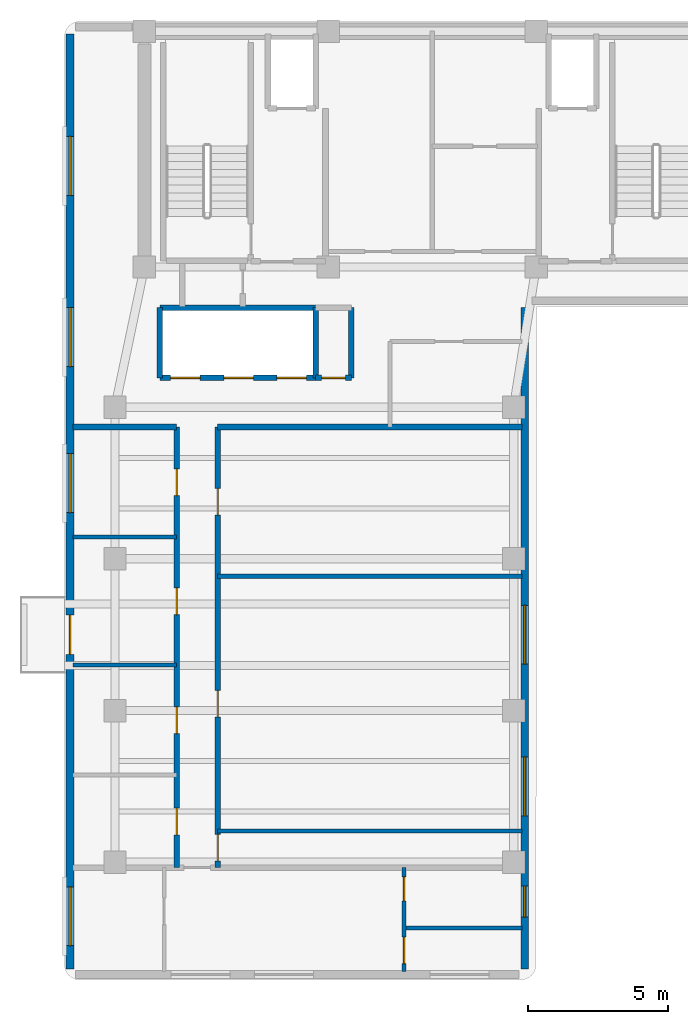
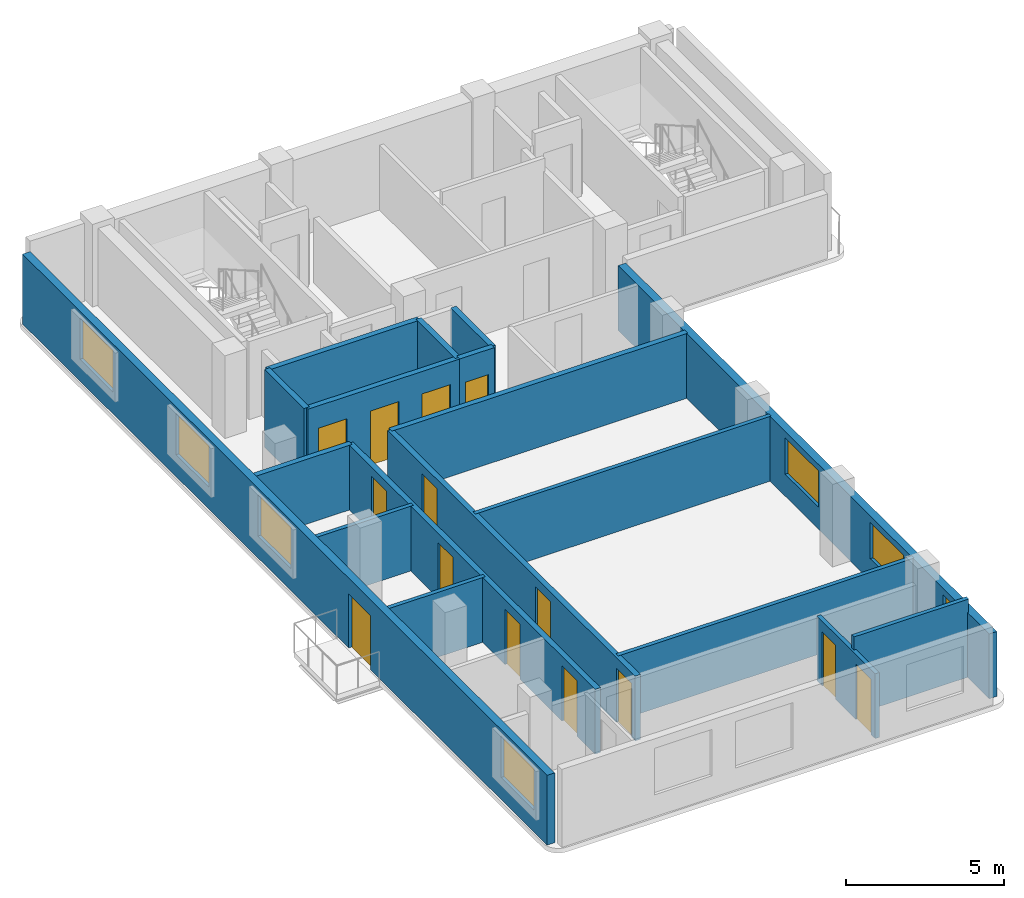
# One storey, part 2 of 6: 18 walls, 14 doors, 7 windows, 21 openings.
"""IFC4 building model written with IfcOpenShell, lengths in metres."""

from ifc_helpers import new_model, si_unit, direction, frame, frame_2d, origin, place, context, subcontext, project, spatial, rectangle, extrude, material, layer, layer_set, type_object, element, fill, save


model = new_model("IFC4")

# Units and contexts
model_context = context("Model", 3, precision=1e-05, world=origin(), true_north=direction((0.0, 1.0)))
body_context = subcontext(model_context, "Body", "Model", "MODEL_VIEW")
ifc_project = project(units=[si_unit("LENGTHUNIT", "METRE"), si_unit("AREAUNIT", "SQUARE_METRE"), si_unit("VOLUMEUNIT", "CUBIC_METRE"), si_unit("PLANEANGLEUNIT", "RADIAN"), si_unit("MASSUNIT", "GRAM", prefix="KILO")], contexts=[model_context])

# Site, building, storey
site_placement = place(None, origin())
site = spatial("IfcSite", under=ifc_project, at=site_placement, CompositionType="ELEMENT")
building_placement = place(site_placement, origin())
building = spatial("IfcBuilding", under=site, at=building_placement, Name="Kuzgunbayir Cultural Tower", CompositionType="ELEMENT")
storey_placement = place(building_placement, frame((0.0, 0.0, 218.39990234375)))
storey = spatial("IfcBuildingStorey", under=building, at=storey_placement, Name="L64", CompositionType="ELEMENT", Elevation=218.39990234375)

# Wall, openings, door, windows
ifc_material_1 = material(Name="Anatolian Cream Limestone", Category="masonry")
ifc_layer_1 = layer(ifc_material_1, 0.280029296875)
ifc_layer_set_1 = layer_set([ifc_layer_1], Name="Anatolian Cream Limestone")
wall_type_1 = type_object("IfcWallType", Name="WAL-EXT-STONE-280", PredefinedType="STANDARD", material=ifc_layer_set_1)
wall_1_placement = place(storey_placement, frame((3.800048828125, 42.10009765625, 0.0), z_axis=(0.0, 0.0, 1.0), x_axis=(0.0, -1.0, 0.0)))
wall_1 = element("IfcWall", 1, at=wall_1_placement, inside=storey, type_object=wall_type_1, Name="L64 Wing A West Limestone Wall", PredefinedType="STANDARD", context=body_context, shape_type="SweptSolid", body=[
    extrude(rectangle(XDim=33.300048828125, YDim=0.280029296875, at=frame_2d((16.64990234375, 0.0))), origin(), (0.0, 0.0, 1.0), 2.710205078125),
])
opening_1_placement = place(wall_1_placement, frame((20.699951171875, 0.0, 0.0)))
opening_1 = element("IfcOpeningElement", 2, at=opening_1_placement, cuts=wall_1, Name="Opening BD-15", PredefinedType="OPENING", context=body_context, shape_type="SweptSolid", body=[
    extrude(rectangle(XDim=1.39990234375, YDim=2.10009765625, at=frame_2d((0.699951171875, 1.050048828125))), frame((0.0, 0.14990234375, 0.0), z_axis=(0.0, -1.0, 0.0), x_axis=(1.0, 0.0, 0.0)), (0.0, 0.0, 1.0), 0.300048828125),
])
opening_2_placement = place(wall_1_placement, frame((30.3798828125, 0.0, 0.85009765625)))
opening_2 = element("IfcOpeningElement", 3, at=opening_2_placement, cuts=wall_1, Name="Opening WR-21", PredefinedType="OPENING", context=body_context, shape_type="SweptSolid", body=[
    extrude(rectangle(XDim=2.10009765625, YDim=1.610107421875, at=frame_2d((1.050048828125, 0.80517578125))), frame((0.0, 0.14990234375, 0.0), z_axis=(0.0, -1.0, 0.0), x_axis=(1.0, 0.0, 0.0)), (0.0, 0.0, 1.0), 0.300048828125),
])
opening_3_placement = place(wall_1_placement, frame((14.949951171875, 0.0, 0.85009765625)))
opening_3 = element("IfcOpeningElement", 4, at=opening_3_placement, cuts=wall_1, Name="Opening WR-21", PredefinedType="OPENING", context=body_context, shape_type="SweptSolid", body=[
    extrude(rectangle(XDim=2.10009765625, YDim=1.610107421875, at=frame_2d((1.050048828125, 0.80517578125))), frame((0.0, 0.14990234375, 0.0), z_axis=(0.0, -1.0, 0.0), x_axis=(1.0, 0.0, 0.0)), (0.0, 0.0, 1.0), 0.300048828125),
])
opening_4_placement = place(wall_1_placement, frame((9.75, 0.0, 0.85009765625)))
opening_4 = element("IfcOpeningElement", 5, at=opening_4_placement, cuts=wall_1, Name="Opening WR-21", PredefinedType="OPENING", context=body_context, shape_type="SweptSolid", body=[
    extrude(rectangle(XDim=2.10009765625, YDim=1.610107421875, at=frame_2d((1.050048828125, 0.80517578125))), frame((0.0, 0.14990234375, 0.0), z_axis=(0.0, -1.0, 0.0), x_axis=(1.0, 0.0, 0.0)), (0.0, 0.0, 1.0), 0.300048828125),
])
opening_5_placement = place(wall_1_placement, frame((3.64990234375, 0.0, 0.85009765625)))
opening_5 = element("IfcOpeningElement", 6, at=opening_5_placement, cuts=wall_1, Name="Opening WR-21", PredefinedType="OPENING", context=body_context, shape_type="SweptSolid", body=[
    extrude(rectangle(XDim=2.10009765625, YDim=1.610107421875, at=frame_2d((1.050048828125, 0.80517578125))), frame((0.0, 0.14990234375, 0.0), z_axis=(0.0, -1.0, 0.0), x_axis=(1.0, 0.0, 0.0)), (0.0, 0.0, 1.0), 0.300048828125),
])
ifc_material_2 = material(Name="Thermally Broken Glazed Aluminium", Category="aluminium")
door_type_1 = type_object("IfcDoorType", Name="DR-BALCONY-150", OperationType="SLIDING_TO_RIGHT", PredefinedType="DOOR", material=ifc_material_2)
door_1_placement = place(opening_1_placement, origin())
door_1 = element("IfcDoor", 7, at=door_1_placement, inside=storey, type_object=door_type_1, Name="L64 West Balcony Sliding Door BAL-L64-WA2", OperationType="SLIDING_TO_RIGHT", OverallHeight=2.10009765625, OverallWidth=1.39990234375, PredefinedType="DOOR", context=body_context, shape_type="SweptSolid", body=[
    extrude(rectangle(XDim=1.39990234375, YDim=2.10009765625, at=frame_2d((0.699951171875, 1.050048828125))), frame((0.0, 0.02490234375, 0.0), z_axis=(0.0, -1.0, 0.0), x_axis=(1.0, 0.0, 0.0)), (0.0, 0.0, 1.0), 0.050048828125),
])
fill(opening_1, door_1)
ifc_material_3 = material(Name="Solar-Control Triple Glazing", Category="glass")
window_type_1 = type_object("IfcWindowType", Name="WIN-RESID-21", PartitioningType="SINGLE_PANEL", PredefinedType="WINDOW", material=ifc_material_3)
window_1_placement = place(opening_2_placement, origin())
window_1 = element("IfcWindow", 8, at=window_1_placement, inside=storey, type_object=window_type_1, Name="L64 WAW Facade Window 1", OverallHeight=1.610107421875, OverallWidth=2.10009765625, PartitioningType="SINGLE_PANEL", PredefinedType="WINDOW", context=body_context, shape_type="SweptSolid", body=[
    extrude(rectangle(XDim=2.10009765625, YDim=1.610107421875, at=frame_2d((1.050048828125, 0.80517578125))), frame((0.0, 0.030029296875, 0.0), z_axis=(0.0, -1.0, 0.0), x_axis=(1.0, 0.0, 0.0)), (0.0, 0.0, 1.0), 0.06005859375),
])
fill(opening_2, window_1)
window_2_placement = place(opening_3_placement, origin())
window_2 = element("IfcWindow", 9, at=window_2_placement, inside=storey, type_object=window_type_1, Name="L64 WAW Facade Window 5", OverallHeight=1.610107421875, OverallWidth=2.10009765625, PartitioningType="SINGLE_PANEL", PredefinedType="WINDOW", context=body_context, shape_type="SweptSolid", body=[
    extrude(rectangle(XDim=2.10009765625, YDim=1.610107421875, at=frame_2d((1.050048828125, 0.80517578125))), frame((0.0, 0.030029296875, 0.0), z_axis=(0.0, -1.0, 0.0), x_axis=(1.0, 0.0, 0.0)), (0.0, 0.0, 1.0), 0.06005859375),
])
fill(opening_3, window_2)
window_3_placement = place(opening_4_placement, origin())
window_3 = element("IfcWindow", 10, at=window_3_placement, inside=storey, type_object=window_type_1, Name="L64 WAW Facade Window 6", OverallHeight=1.610107421875, OverallWidth=2.10009765625, PartitioningType="SINGLE_PANEL", PredefinedType="WINDOW", context=body_context, shape_type="SweptSolid", body=[
    extrude(rectangle(XDim=2.10009765625, YDim=1.610107421875, at=frame_2d((1.050048828125, 0.80517578125))), frame((0.0, 0.030029296875, 0.0), z_axis=(0.0, -1.0, 0.0), x_axis=(1.0, 0.0, 0.0)), (0.0, 0.0, 1.0), 0.06005859375),
])
fill(opening_4, window_3)
window_4_placement = place(opening_5_placement, origin())
window_4 = element("IfcWindow", 11, at=window_4_placement, inside=storey, type_object=window_type_1, Name="L64 WAW Facade Window 7", OverallHeight=1.610107421875, OverallWidth=2.10009765625, PartitioningType="SINGLE_PANEL", PredefinedType="WINDOW", context=body_context, shape_type="SweptSolid", body=[
    extrude(rectangle(XDim=2.10009765625, YDim=1.610107421875, at=frame_2d((1.050048828125, 0.80517578125))), frame((0.0, 0.030029296875, 0.0), z_axis=(0.0, -1.0, 0.0), x_axis=(1.0, 0.0, 0.0)), (0.0, 0.0, 1.0), 0.06005859375),
])
fill(opening_5, window_4)

# Wall, openings, windows
wall_2_placement = place(storey_placement, frame((20.0, 8.800048828125, 0.0), z_axis=(0.0, 0.0, 1.0), x_axis=(0.0, 1.0, 0.0)))
wall_2 = element("IfcWall", 12, at=wall_2_placement, inside=storey, type_object=wall_type_1, Name="L64 Wing A East Limestone Wall", PredefinedType="STANDARD", context=body_context, shape_type="SweptSolid", body=[
    extrude(rectangle(XDim=23.550048828125, YDim=0.280029296875, at=frame_2d((11.77490234375, 0.0))), origin(), (0.0, 0.0, 1.0), 2.510009765625),
])
opening_6_placement = place(wall_2_placement, frame((1.840087890625, 0.0, 0.85009765625)))
opening_6 = element("IfcOpeningElement", 13, at=opening_6_placement, cuts=wall_2, Name="Opening WN-11", PredefinedType="OPENING", context=body_context, shape_type="SweptSolid", body=[
    extrude(rectangle(XDim=1.10009765625, YDim=1.409912109375, at=frame_2d((0.550048828125, 0.705078125))), frame((0.0, 0.14990234375, 0.0), z_axis=(0.0, -1.0, 0.0), x_axis=(1.0, 0.0, 0.0)), (0.0, 0.0, 1.0), 0.300048828125),
])
opening_7_placement = place(wall_2_placement, frame((5.449951171875, 0.0, 0.85009765625)))
opening_7 = element("IfcOpeningElement", 14, at=opening_7_placement, cuts=wall_2, Name="Opening WR-21", PredefinedType="OPENING", context=body_context, shape_type="SweptSolid", body=[
    extrude(rectangle(XDim=2.10009765625, YDim=1.409912109375, at=frame_2d((1.050048828125, 0.705078125))), frame((0.0, 0.14990234375, 0.0), z_axis=(0.0, -1.0, 0.0), x_axis=(1.0, 0.0, 0.0)), (0.0, 0.0, 1.0), 0.300048828125),
])
opening_8_placement = place(wall_2_placement, frame((10.85009765625, 0.0, 0.85009765625)))
opening_8 = element("IfcOpeningElement", 15, at=opening_8_placement, cuts=wall_2, Name="Opening WR-21", PredefinedType="OPENING", context=body_context, shape_type="SweptSolid", body=[
    extrude(rectangle(XDim=2.10009765625, YDim=1.409912109375, at=frame_2d((1.050048828125, 0.705078125))), frame((0.0, 0.14990234375, 0.0), z_axis=(0.0, -1.0, 0.0), x_axis=(1.0, 0.0, 0.0)), (0.0, 0.0, 1.0), 0.300048828125),
])
window_type_2 = type_object("IfcWindowType", Name="WIN-NARROW-11", PartitioningType="SINGLE_PANEL", PredefinedType="WINDOW", material=ifc_material_3)
window_5_placement = place(opening_6_placement, origin())
window_5 = element("IfcWindow", 16, at=window_5_placement, inside=storey, type_object=window_type_2, Name="L64 WAE Facade Window 4", OverallHeight=1.409912109375, OverallWidth=1.10009765625, PartitioningType="SINGLE_PANEL", PredefinedType="WINDOW", context=body_context, shape_type="SweptSolid", body=[
    extrude(rectangle(XDim=1.10009765625, YDim=1.409912109375, at=frame_2d((0.550048828125, 0.705078125))), frame((0.0, 0.030029296875, 0.0), z_axis=(0.0, -1.0, 0.0), x_axis=(1.0, 0.0, 0.0)), (0.0, 0.0, 1.0), 0.06005859375),
])
fill(opening_6, window_5)
window_6_placement = place(opening_7_placement, origin())
window_6 = element("IfcWindow", 17, at=window_6_placement, inside=storey, type_object=window_type_1, Name="L64 WAE Facade Window 8", OverallHeight=1.409912109375, OverallWidth=2.10009765625, PartitioningType="SINGLE_PANEL", PredefinedType="WINDOW", context=body_context, shape_type="SweptSolid", body=[
    extrude(rectangle(XDim=2.10009765625, YDim=1.409912109375, at=frame_2d((1.050048828125, 0.705078125))), frame((0.0, 0.030029296875, 0.0), z_axis=(0.0, -1.0, 0.0), x_axis=(1.0, 0.0, 0.0)), (0.0, 0.0, 1.0), 0.06005859375),
])
fill(opening_7, window_6)
window_7_placement = place(opening_8_placement, origin())
window_7 = element("IfcWindow", 18, at=window_7_placement, inside=storey, type_object=window_type_1, Name="L64 WAE Facade Window 9", OverallHeight=1.409912109375, OverallWidth=2.10009765625, PartitioningType="SINGLE_PANEL", PredefinedType="WINDOW", context=body_context, shape_type="SweptSolid", body=[
    extrude(rectangle(XDim=2.10009765625, YDim=1.409912109375, at=frame_2d((1.050048828125, 0.705078125))), frame((0.0, 0.030029296875, 0.0), z_axis=(0.0, -1.0, 0.0), x_axis=(1.0, 0.0, 0.0)), (0.0, 0.0, 1.0), 0.06005859375),
])
fill(opening_8, window_7)

# Walls
ifc_material_4 = material(Name="Acoustic Double-Stud Drywall", Category="gypsum")
ifc_layer_2 = layer(ifc_material_4, 0.14990234375)
ifc_layer_set_2 = layer_set([ifc_layer_2], Name="Acoustic Double-Stud Drywall")
wall_type_2 = type_object("IfcWallType", Name="WAL-PART-ACOUSTIC-150", PredefinedType="PARTITIONING", material=ifc_layer_set_2)
for number, where, z_axis, x_axis, name in (
    (19, (3.89990234375, 19.6201171875, 0.0), (0.0, 0.0, 1.0), (1.0, 0.0, 0.0), "L64 West Study Partition 2"),
    (20, (3.89990234375, 24.179931640625, 0.0), (0.0, 0.0, 1.0), (1.0, 0.0, 0.0), "L64 West Study Partition 3"),
):
    element("IfcWall", number, at=place(storey_placement, frame(where, z_axis=z_axis, x_axis=x_axis)), inside=storey, type_object=wall_type_2, Name=name, PredefinedType="PARTITIONING", context=body_context, shape_type="SweptSolid", body=[
        extrude(rectangle(XDim=3.7001953125, YDim=0.14990234375, at=frame_2d((1.85009765625, 0.0))), origin(), (0.0, 0.0, 1.0), 2.510009765625),
    ])
wall_3_placement = place(storey_placement, frame((9.06005859375, 22.780029296875, 0.0), z_axis=(0.0, 0.0, 1.0), x_axis=(1.0, 0.0, 0.0)))
element("IfcWall", 21, at=wall_3_placement, inside=storey, type_object=wall_type_2, Name="L64 East Divider 1", PredefinedType="PARTITIONING", context=body_context, shape_type="SweptSolid", body=[
    extrude(rectangle(XDim=10.83984375, YDim=0.14990234375, at=frame_2d((5.419921875, 0.0))), origin(), (0.0, 0.0, 1.0), 2.510009765625),
])

# Wall, opening, door
ifc_material_5 = material(Name="Aerated Concrete Blockwork", Category="masonry")
ifc_layer_3 = layer(ifc_material_5, 0.199951171875)
ifc_layer_set_3 = layer_set([ifc_layer_3], Name="Aerated Concrete Blockwork")
wall_type_3 = type_object("IfcWallType", Name="WAL-PART-FIRE-200", PredefinedType="PARTITIONING", material=ifc_layer_set_3)
wall_4_placement = place(storey_placement, frame((12.550048828125, 29.85009765625, 0.0), z_axis=(0.0, 0.0, 1.0), x_axis=(1.0, 0.0, 0.0)))
wall_4 = element("IfcWall", 22, at=wall_4_placement, inside=storey, type_object=wall_type_3, Name="L64 Center Core Switchgear South Wall", PredefinedType="PARTITIONING", context=body_context, shape_type="SweptSolid", body=[
    extrude(rectangle(XDim=1.27001953125, YDim=0.199951171875, at=frame_2d((0.635009765625, 0.0))), origin(), (0.0, 0.0, 1.0), 3.02001953125),
])
opening_9_placement = place(wall_4_placement, frame((0.2099609375, 0.0, 0.0)))
opening_9 = element("IfcOpeningElement", 23, at=opening_9_placement, cuts=wall_4, Name="Opening DR-RSR-60", PredefinedType="OPENING", context=body_context, shape_type="SweptSolid", body=[
    extrude(rectangle(XDim=0.85009765625, YDim=2.050048828125, at=frame_2d((0.425048828125, 1.02490234375))), frame((0.0, 0.10986328125, 0.0), z_axis=(0.0, -1.0, 0.0), x_axis=(1.0, 0.0, 0.0)), (0.0, 0.0, 1.0), 0.219970703125),
])
ifc_material_6 = material(Name="Steel Access Leaf", Category="steel")
door_type_2 = type_object("IfcDoorType", Name="DR-RISER-60", OperationType="NOTDEFINED", PredefinedType="DOOR", material=ifc_material_6)
door_2_placement = place(opening_9_placement, origin())
door_2 = element("IfcDoor", 24, at=door_2_placement, inside=storey, type_object=door_type_2, Name="L64 Electrical Switchgear Closet Door", OperationType="SINGLE_SWING_LEFT", OverallHeight=2.050048828125, OverallWidth=0.85009765625, PredefinedType="DOOR", context=body_context, shape_type="SweptSolid", body=[
    extrude(rectangle(XDim=0.85009765625, YDim=2.050048828125, at=frame_2d((0.425048828125, 1.02490234375))), frame((0.0, 0.02490234375, 0.0), z_axis=(0.0, -1.0, 0.0), x_axis=(1.0, 0.0, 0.0)), (0.0, 0.0, 1.0), 0.050048828125),
])
fill(opening_9, door_2)

# Wall
wall_5_placement = place(storey_placement, frame((13.820068359375, 29.85009765625, 0.0), z_axis=(0.0, 0.0, 1.0), x_axis=(0.0, 1.0, 0.0)))
element("IfcWall", 25, at=wall_5_placement, inside=storey, type_object=wall_type_3, Name="L64 Center Core Switchgear East Wall", PredefinedType="PARTITIONING", context=body_context, shape_type="SweptSolid", body=[
    extrude(rectangle(XDim=2.5, YDim=0.199951171875, at=frame_2d((1.25, 0.0))), origin(), (0.0, 0.0, 1.0), 3.02001953125),
])

# Wall, openings, doors
wall_6_placement = place(storey_placement, frame((7.60009765625, 12.39990234375, 0.0), z_axis=(0.0, 0.0, 1.0), x_axis=(0.0, 1.0, 0.0)))
wall_6 = element("IfcWall", 26, at=wall_6_placement, inside=storey, type_object=wall_type_3, Name="L64 Wing A West Corridor Wall", PredefinedType="PARTITIONING", context=body_context, shape_type="SweptSolid", body=[
    extrude(rectangle(XDim=15.7001953125, YDim=0.199951171875, at=frame_2d((7.85009765625, 0.0))), origin(), (0.0, 0.0, 1.0), 2.510009765625),
])
opening_10_placement = place(wall_6_placement, frame((1.169921875, 0.0, 0.0)))
opening_10 = element("IfcOpeningElement", 27, at=opening_10_placement, cuts=wall_6, Name="Opening DI-90", PredefinedType="OPENING", context=body_context, shape_type="SweptSolid", body=[
    extrude(rectangle(XDim=0.949951171875, YDim=2.14990234375, at=frame_2d((0.47509765625, 1.074951171875))), frame((0.0, 0.10986328125, 0.0), z_axis=(0.0, -1.0, 0.0), x_axis=(1.0, 0.0, 0.0)), (0.0, 0.0, 1.0), 0.219970703125),
])
opening_11_placement = place(wall_6_placement, frame((4.780029296875, 0.0, 0.0)))
opening_11 = element("IfcOpeningElement", 28, at=opening_11_placement, cuts=wall_6, Name="Opening DI-90", PredefinedType="OPENING", context=body_context, shape_type="SweptSolid", body=[
    extrude(rectangle(XDim=0.949951171875, YDim=2.14990234375, at=frame_2d((0.47509765625, 1.074951171875))), frame((0.0, 0.10986328125, 0.0), z_axis=(0.0, -1.0, 0.0), x_axis=(1.0, 0.0, 0.0)), (0.0, 0.0, 1.0), 0.219970703125),
])
opening_12_placement = place(wall_6_placement, frame((9.02001953125, 0.0, 0.0)))
opening_12 = element("IfcOpeningElement", 29, at=opening_12_placement, cuts=wall_6, Name="Opening DI-90", PredefinedType="OPENING", context=body_context, shape_type="SweptSolid", body=[
    extrude(rectangle(XDim=0.949951171875, YDim=2.14990234375, at=frame_2d((0.47509765625, 1.074951171875))), frame((0.0, 0.10986328125, 0.0), z_axis=(0.0, -1.0, 0.0), x_axis=(1.0, 0.0, 0.0)), (0.0, 0.0, 1.0), 0.219970703125),
])
opening_13_placement = place(wall_6_placement, frame((13.260009765625, 0.0, 0.0)))
opening_13 = element("IfcOpeningElement", 30, at=opening_13_placement, cuts=wall_6, Name="Opening DI-90", PredefinedType="OPENING", context=body_context, shape_type="SweptSolid", body=[
    extrude(rectangle(XDim=0.949951171875, YDim=2.14990234375, at=frame_2d((0.47509765625, 1.074951171875))), frame((0.0, 0.10986328125, 0.0), z_axis=(0.0, -1.0, 0.0), x_axis=(1.0, 0.0, 0.0)), (0.0, 0.0, 1.0), 0.219970703125),
])
ifc_material_7 = material(Name="Veneered Oak Single Leaf", Category="wood")
door_type_3 = type_object("IfcDoorType", Name="DR-INT-90", OperationType="NOTDEFINED", PredefinedType="DOOR", material=ifc_material_7)
door_3_placement = place(opening_10_placement, origin())
door_3 = element("IfcDoor", 31, at=door_3_placement, inside=storey, type_object=door_type_3, Name="L64 Culinary Tasting Pantry W1 Door", OperationType="SINGLE_SWING_LEFT", OverallHeight=2.14990234375, OverallWidth=0.949951171875, PredefinedType="DOOR", context=body_context, shape_type="SweptSolid", body=[
    extrude(rectangle(XDim=0.949951171875, YDim=2.14990234375, at=frame_2d((0.47509765625, 1.074951171875))), frame((0.0, 0.02490234375, 0.0), z_axis=(0.0, -1.0, 0.0), x_axis=(1.0, 0.0, 0.0)), (0.0, 0.0, 1.0), 0.050048828125),
])
fill(opening_10, door_3)
door_4_placement = place(opening_11_placement, origin())
door_4 = element("IfcDoor", 32, at=door_4_placement, inside=storey, type_object=door_type_3, Name="L64 Culinary Tasting Pantry W2 Door", OperationType="SINGLE_SWING_RIGHT", OverallHeight=2.14990234375, OverallWidth=0.949951171875, PredefinedType="DOOR", context=body_context, shape_type="SweptSolid", body=[
    extrude(rectangle(XDim=0.949951171875, YDim=2.14990234375, at=frame_2d((0.47509765625, 1.074951171875))), frame((0.0, 0.02490234375, 0.0), z_axis=(0.0, -1.0, 0.0), x_axis=(1.0, 0.0, 0.0)), (0.0, 0.0, 1.0), 0.050048828125),
])
fill(opening_11, door_4)
door_5_placement = place(opening_12_placement, origin())
door_5 = element("IfcDoor", 33, at=door_5_placement, inside=storey, type_object=door_type_3, Name="L64 Culinary Tasting Pantry W3 Door", OperationType="SINGLE_SWING_LEFT", OverallHeight=2.14990234375, OverallWidth=0.949951171875, PredefinedType="DOOR", context=body_context, shape_type="SweptSolid", body=[
    extrude(rectangle(XDim=0.949951171875, YDim=2.14990234375, at=frame_2d((0.47509765625, 1.074951171875))), frame((0.0, 0.02490234375, 0.0), z_axis=(0.0, -1.0, 0.0), x_axis=(1.0, 0.0, 0.0)), (0.0, 0.0, 1.0), 0.050048828125),
])
fill(opening_12, door_5)
door_6_placement = place(opening_13_placement, origin())
door_6 = element("IfcDoor", 34, at=door_6_placement, inside=storey, type_object=door_type_3, Name="L64 Curatorial Office W4 Door", OperationType="SINGLE_SWING_RIGHT", OverallHeight=2.14990234375, OverallWidth=0.949951171875, PredefinedType="DOOR", context=body_context, shape_type="SweptSolid", body=[
    extrude(rectangle(XDim=0.949951171875, YDim=2.14990234375, at=frame_2d((0.47509765625, 1.074951171875))), frame((0.0, 0.02490234375, 0.0), z_axis=(0.0, -1.0, 0.0), x_axis=(1.0, 0.0, 0.0)), (0.0, 0.0, 1.0), 0.050048828125),
])
fill(opening_13, door_6)

wall_7_placement = place(storey_placement, frame((9.06005859375, 12.39990234375, 0.0), z_axis=(0.0, 0.0, 1.0), x_axis=(0.0, 1.0, 0.0)))
wall_7 = element("IfcWall", 35, at=wall_7_placement, inside=storey, type_object=wall_type_3, Name="L64 Wing A East Corridor Wall", PredefinedType="PARTITIONING", context=body_context, shape_type="SweptSolid", body=[
    extrude(rectangle(XDim=15.7001953125, YDim=0.199951171875, at=frame_2d((7.85009765625, 0.0))), origin(), (0.0, 0.0, 1.0), 2.510009765625),
])
opening_14_placement = place(wall_7_placement, frame((0.239990234375, 0.0, 0.0)))
opening_14 = element("IfcOpeningElement", 36, at=opening_14_placement, cuts=wall_7, Name="Opening DW-95", PredefinedType="OPENING", context=body_context, shape_type="SweptSolid", body=[
    extrude(rectangle(XDim=0.949951171875, YDim=2.10009765625, at=frame_2d((0.47509765625, 1.050048828125))), frame((0.0, 0.10986328125, 0.0), z_axis=(0.0, -1.0, 0.0), x_axis=(1.0, 0.0, 0.0)), (0.0, 0.0, 1.0), 0.219970703125),
])
opening_15_placement = place(wall_7_placement, frame((5.3701171875, 0.0, 0.0)))
opening_15 = element("IfcOpeningElement", 37, at=opening_15_placement, cuts=wall_7, Name="Opening DI-90", PredefinedType="OPENING", context=body_context, shape_type="SweptSolid", body=[
    extrude(rectangle(XDim=0.949951171875, YDim=2.14990234375, at=frame_2d((0.47509765625, 1.074951171875))), frame((0.0, 0.10986328125, 0.0), z_axis=(0.0, -1.0, 0.0), x_axis=(1.0, 0.0, 0.0)), (0.0, 0.0, 1.0), 0.219970703125),
])
opening_16_placement = place(wall_7_placement, frame((12.56005859375, 0.0, 0.0)))
opening_16 = element("IfcOpeningElement", 38, at=opening_16_placement, cuts=wall_7, Name="Opening DI-90", PredefinedType="OPENING", context=body_context, shape_type="SweptSolid", body=[
    extrude(rectangle(XDim=0.949951171875, YDim=2.14990234375, at=frame_2d((0.47509765625, 1.074951171875))), frame((0.0, 0.10986328125, 0.0), z_axis=(0.0, -1.0, 0.0), x_axis=(1.0, 0.0, 0.0)), (0.0, 0.0, 1.0), 0.219970703125),
])
door_7_placement = place(opening_15_placement, origin())
door_7 = element("IfcDoor", 39, at=door_7_placement, inside=storey, type_object=door_type_3, Name="L64 East Culinary Tasting Pantry E1 Door", OperationType="SINGLE_SWING_RIGHT", OverallHeight=2.14990234375, OverallWidth=0.949951171875, PredefinedType="DOOR", context=body_context, shape_type="SweptSolid", body=[
    extrude(rectangle(XDim=0.949951171875, YDim=2.14990234375, at=frame_2d((0.47509765625, 1.074951171875))), frame((0.0, 0.02490234375, 0.0), z_axis=(0.0, -1.0, 0.0), x_axis=(1.0, 0.0, 0.0)), (0.0, 0.0, 1.0), 0.050048828125),
])
fill(opening_15, door_7)
door_8_placement = place(opening_16_placement, origin())
door_8 = element("IfcDoor", 40, at=door_8_placement, inside=storey, type_object=door_type_3, Name="L64 East Art Publication Salon E2 Door", OperationType="SINGLE_SWING_LEFT", OverallHeight=2.14990234375, OverallWidth=0.949951171875, PredefinedType="DOOR", context=body_context, shape_type="SweptSolid", body=[
    extrude(rectangle(XDim=0.949951171875, YDim=2.14990234375, at=frame_2d((0.47509765625, 1.074951171875))), frame((0.0, 0.02490234375, 0.0), z_axis=(0.0, -1.0, 0.0), x_axis=(1.0, 0.0, 0.0)), (0.0, 0.0, 1.0), 0.050048828125),
])
fill(opening_16, door_8)
ifc_material_8 = material(Name="Laminate Moisture-Resistant Leaf", Category="wood")
door_type_4 = type_object("IfcDoorType", Name="DR-WET-95", OperationType="NOTDEFINED", PredefinedType="DOOR", material=ifc_material_8)
door_9_placement = place(opening_14_placement, origin())
door_9 = element("IfcDoor", 41, at=door_9_placement, inside=storey, type_object=door_type_4, Name="L64 Visitor Accessible WC Door", OperationType="SINGLE_SWING_LEFT", OverallHeight=2.10009765625, OverallWidth=0.949951171875, PredefinedType="DOOR", context=body_context, shape_type="SweptSolid", body=[
    extrude(rectangle(XDim=0.949951171875, YDim=2.10009765625, at=frame_2d((0.47509765625, 1.050048828125))), frame((0.0, 0.02490234375, 0.0), z_axis=(0.0, -1.0, 0.0), x_axis=(1.0, 0.0, 0.0)), (0.0, 0.0, 1.0), 0.050048828125),
])
fill(opening_14, door_9)

# Walls
wall_8_placement = place(storey_placement, frame((3.89990234375, 28.10009765625, 0.0), z_axis=(0.0, 0.0, 1.0), x_axis=(1.0, 0.0, 0.0)))
element("IfcWall", 42, at=wall_8_placement, inside=storey, type_object=wall_type_3, Name="L64 North West Partition", PredefinedType="PARTITIONING", context=body_context, shape_type="SweptSolid", body=[
    extrude(rectangle(XDim=3.7001953125, YDim=0.199951171875, at=frame_2d((1.85009765625, 0.0))), origin(), (0.0, 0.0, 1.0), 2.510009765625),
])
wall_9_placement = place(storey_placement, frame((9.06005859375, 28.10009765625, 0.0), z_axis=(0.0, 0.0, 1.0), x_axis=(1.0, 0.0, 0.0)))
element("IfcWall", 43, at=wall_9_placement, inside=storey, type_object=wall_type_3, Name="L64 North East Partition", PredefinedType="PARTITIONING", context=body_context, shape_type="SweptSolid", body=[
    extrude(rectangle(XDim=10.83984375, YDim=0.199951171875, at=frame_2d((5.419921875, 0.0))), origin(), (0.0, 0.0, 1.0), 2.510009765625),
])

# Wall, openings, doors
ifc_material_9 = material(Name="Moisture-Resistant Tile Partition", Category="gypsum")
ifc_layer_4 = layer(ifc_material_9, 0.14990234375)
ifc_layer_set_4 = layer_set([ifc_layer_4], Name="Moisture-Resistant Tile Partition")
wall_type_4 = type_object("IfcWallType", Name="WAL-PART-WET-150", PredefinedType="PARTITIONING", material=ifc_layer_set_4)
wall_10_placement = place(storey_placement, frame((15.699951171875, 8.699951171875, 0.0), z_axis=(0.0, 0.0, 1.0), x_axis=(0.0, 1.0, 0.0)))
wall_10 = element("IfcWall", 44, at=wall_10_placement, inside=storey, type_object=wall_type_4, Name="L64 Flat A East Service Wall", PredefinedType="PARTITIONING", context=body_context, shape_type="SweptSolid", body=[
    extrude(rectangle(XDim=3.699951171875, YDim=0.14990234375, at=frame_2d((1.85009765625, 0.0))), origin(), (0.0, 0.0, 1.0), 2.510009765625),
])
opening_17_placement = place(wall_10_placement, frame((0.280029296875, 0.0, 0.0)))
opening_17 = element("IfcOpeningElement", 45, at=opening_17_placement, cuts=wall_10, Name="Opening DI-90", PredefinedType="OPENING", context=body_context, shape_type="SweptSolid", body=[
    extrude(rectangle(XDim=0.949951171875, YDim=2.14990234375, at=frame_2d((0.47509765625, 1.074951171875))), frame((0.0, 0.0849609375, 0.0), z_axis=(0.0, -1.0, 0.0), x_axis=(1.0, 0.0, 0.0)), (0.0, 0.0, 1.0), 0.169921875),
])
opening_18_placement = place(wall_10_placement, frame((2.52001953125, 0.0, 0.0)))
opening_18 = element("IfcOpeningElement", 46, at=opening_18_placement, cuts=wall_10, Name="Opening DW-85", PredefinedType="OPENING", context=body_context, shape_type="SweptSolid", body=[
    extrude(rectangle(XDim=0.85009765625, YDim=2.10009765625, at=frame_2d((0.425048828125, 1.050048828125))), frame((0.0, 0.0849609375, 0.0), z_axis=(0.0, -1.0, 0.0), x_axis=(1.0, 0.0, 0.0)), (0.0, 0.0, 1.0), 0.169921875),
])
door_10_placement = place(opening_17_placement, origin())
door_10 = element("IfcDoor", 47, at=door_10_placement, inside=storey, type_object=door_type_3, Name="L64 Apartment A Kitchen Door", OperationType="SINGLE_SWING_LEFT", OverallHeight=2.14990234375, OverallWidth=0.949951171875, PredefinedType="DOOR", context=body_context, shape_type="SweptSolid", body=[
    extrude(rectangle(XDim=0.949951171875, YDim=2.14990234375, at=frame_2d((0.47509765625, 1.074951171875))), frame((0.0, 0.02490234375, 0.0), z_axis=(0.0, -1.0, 0.0), x_axis=(1.0, 0.0, 0.0)), (0.0, 0.0, 1.0), 0.050048828125),
])
fill(opening_17, door_10)
door_type_5 = type_object("IfcDoorType", Name="DR-WET-85", OperationType="NOTDEFINED", PredefinedType="DOOR", material=ifc_material_8)
door_11_placement = place(opening_18_placement, origin())
door_11 = element("IfcDoor", 48, at=door_11_placement, inside=storey, type_object=door_type_5, Name="L64 Apartment A Bathroom Door", OperationType="SINGLE_SWING_RIGHT", OverallHeight=2.10009765625, OverallWidth=0.85009765625, PredefinedType="DOOR", context=body_context, shape_type="SweptSolid", body=[
    extrude(rectangle(XDim=0.85009765625, YDim=2.10009765625, at=frame_2d((0.425048828125, 1.050048828125))), frame((0.0, 0.02490234375, 0.0), z_axis=(0.0, -1.0, 0.0), x_axis=(1.0, 0.0, 0.0)), (0.0, 0.0, 1.0), 0.050048828125),
])
fill(opening_18, door_11)

# Walls
wall_11_placement = place(storey_placement, frame((15.699951171875, 10.25, 0.0), z_axis=(0.0, 0.0, 1.0), x_axis=(1.0, 0.0, 0.0)))
element("IfcWall", 49, at=wall_11_placement, inside=storey, type_object=wall_type_4, Name="L64 Flat A Bath Kitchen Divider", PredefinedType="PARTITIONING", context=body_context, shape_type="SweptSolid", body=[
    extrude(rectangle(XDim=4.199951171875, YDim=0.14990234375, at=frame_2d((2.10009765625, 0.0))), origin(), (0.0, 0.0, 1.0), 3.02001953125),
])
wall_12_placement = place(storey_placement, frame((9.06005859375, 13.7099609375, 0.0), z_axis=(0.0, 0.0, 1.0), x_axis=(1.0, 0.0, 0.0)))
element("IfcWall", 50, at=wall_12_placement, inside=storey, type_object=wall_type_4, Name="L64 East Accessible WC Wall", PredefinedType="PARTITIONING", context=body_context, shape_type="SweptSolid", body=[
    extrude(rectangle(XDim=10.83984375, YDim=0.14990234375, at=frame_2d((5.419921875, 0.0))), origin(), (0.0, 0.0, 1.0), 2.510009765625),
])

# Wall, openings, doors
ifc_material_10 = material(Name="Concrete C40/50", Category="concrete")
ifc_layer_5 = layer(ifc_material_10, 0.199951171875)
ifc_layer_set_5 = layer_set([ifc_layer_5], Name="Concrete C40/50")
wall_type_5 = type_object("IfcWallType", Name="WAL-SHAFT-200", PredefinedType="MOVABLE", material=ifc_layer_set_5)
wall_13_placement = place(storey_placement, frame((7.0, 29.85009765625, 0.0), z_axis=(0.0, 0.0, 1.0), x_axis=(1.0, 0.0, 0.0)))
wall_13 = element("IfcWall", 51, at=wall_13_placement, inside=storey, type_object=wall_type_5, Name="L64 High-Rise Lift Shaft South Wall", PredefinedType="MOVABLE", context=body_context, shape_type="SweptSolid", body=[
    extrude(rectangle(XDim=5.550048828125, YDim=0.199951171875, at=frame_2d((2.77490234375, 0.0))), origin(), (0.0, 0.0, 1.0), 3.02001953125),
])
opening_19_placement = place(wall_13_placement, frame((0.3798828125, 0.0, 0.0)))
opening_19 = element("IfcOpeningElement", 52, at=opening_19_placement, cuts=wall_13, Name="Opening LD", PredefinedType="OPENING", context=body_context, shape_type="SweptSolid", body=[
    extrude(rectangle(XDim=1.050048828125, YDim=2.14990234375, at=frame_2d((0.52490234375, 1.074951171875))), frame((0.0, 0.10986328125, 0.0), z_axis=(0.0, -1.0, 0.0), x_axis=(1.0, 0.0, 0.0)), (0.0, 0.0, 1.0), 0.219970703125),
])
opening_20_placement = place(wall_13_placement, frame((2.280029296875, 0.0, 0.0)))
opening_20 = element("IfcOpeningElement", 53, at=opening_20_placement, cuts=wall_13, Name="Opening LD", PredefinedType="OPENING", context=body_context, shape_type="SweptSolid", body=[
    extrude(rectangle(XDim=1.050048828125, YDim=2.14990234375, at=frame_2d((0.52490234375, 1.074951171875))), frame((0.0, 0.10986328125, 0.0), z_axis=(0.0, -1.0, 0.0), x_axis=(1.0, 0.0, 0.0)), (0.0, 0.0, 1.0), 0.219970703125),
])
opening_21_placement = place(wall_13_placement, frame((4.169921875, 0.0, 0.0)))
opening_21 = element("IfcOpeningElement", 54, at=opening_21_placement, cuts=wall_13, Name="Opening LD", PredefinedType="OPENING", context=body_context, shape_type="SweptSolid", body=[
    extrude(rectangle(XDim=1.050048828125, YDim=2.14990234375, at=frame_2d((0.52490234375, 1.074951171875))), frame((0.0, 0.10986328125, 0.0), z_axis=(0.0, -1.0, 0.0), x_axis=(1.0, 0.0, 0.0)), (0.0, 0.0, 1.0), 0.219970703125),
])
ifc_material_11 = material(Name="Brushed Stainless Steel", Category="steel")
door_type_6 = type_object("IfcDoorType", Name="DR-LIFT-LANDING", OperationType="SLIDING_TO_LEFT", PredefinedType="DOOR", material=ifc_material_11)
door_12_placement = place(opening_19_placement, origin())
door_12 = element("IfcDoor", 55, at=door_12_placement, inside=storey, type_object=door_type_6, Name="L64 Lift PH-1 Landing Door", OperationType="SLIDING_TO_LEFT", OverallHeight=2.14990234375, OverallWidth=1.050048828125, PredefinedType="DOOR", context=body_context, shape_type="SweptSolid", body=[
    extrude(rectangle(XDim=1.050048828125, YDim=2.14990234375, at=frame_2d((0.52490234375, 1.074951171875))), frame((0.0, 0.02490234375, 0.0), z_axis=(0.0, -1.0, 0.0), x_axis=(1.0, 0.0, 0.0)), (0.0, 0.0, 1.0), 0.050048828125),
])
fill(opening_19, door_12)
door_13_placement = place(opening_20_placement, origin())
door_13 = element("IfcDoor", 56, at=door_13_placement, inside=storey, type_object=door_type_6, Name="L64 Lift PH-2 Landing Door", OperationType="SLIDING_TO_LEFT", OverallHeight=2.14990234375, OverallWidth=1.050048828125, PredefinedType="DOOR", context=body_context, shape_type="SweptSolid", body=[
    extrude(rectangle(XDim=1.050048828125, YDim=2.14990234375, at=frame_2d((0.52490234375, 1.074951171875))), frame((0.0, 0.02490234375, 0.0), z_axis=(0.0, -1.0, 0.0), x_axis=(1.0, 0.0, 0.0)), (0.0, 0.0, 1.0), 0.050048828125),
])
fill(opening_20, door_13)
door_14_placement = place(opening_21_placement, origin())
door_14 = element("IfcDoor", 57, at=door_14_placement, inside=storey, type_object=door_type_6, Name="L64 Lift PH-3 Landing Door", OperationType="SLIDING_TO_LEFT", OverallHeight=2.14990234375, OverallWidth=1.050048828125, PredefinedType="DOOR", context=body_context, shape_type="SweptSolid", body=[
    extrude(rectangle(XDim=1.050048828125, YDim=2.14990234375, at=frame_2d((0.52490234375, 1.074951171875))), frame((0.0, 0.02490234375, 0.0), z_axis=(0.0, -1.0, 0.0), x_axis=(1.0, 0.0, 0.0)), (0.0, 0.0, 1.0), 0.050048828125),
])
fill(opening_21, door_14)

# Walls
wall_14_placement = place(storey_placement, frame((7.0, 32.35009765625, 0.0), z_axis=(0.0, 0.0, 1.0), x_axis=(1.0, 0.0, 0.0)))
element("IfcWall", 58, at=wall_14_placement, inside=storey, type_object=wall_type_5, Name="L64 High-Rise Lift Shaft North Wall", PredefinedType="MOVABLE", context=body_context, shape_type="SweptSolid", body=[
    extrude(rectangle(XDim=5.550048828125, YDim=0.199951171875, at=frame_2d((2.77490234375, 0.0))), origin(), (0.0, 0.0, 1.0), 3.02001953125),
])
for number, where, z_axis, x_axis, name in (
    (59, (7.0, 29.85009765625, 0.0), (0.0, 0.0, 1.0), (0.0, 1.0, 0.0), "L64 High-Rise Lift Shaft West Wall"),
    (60, (12.550048828125, 29.85009765625, 0.0), (0.0, 0.0, 1.0), (0.0, 1.0, 0.0), "L64 High-Rise Lift Shaft East Wall"),
):
    element("IfcWall", number, at=place(storey_placement, frame(where, z_axis=z_axis, x_axis=x_axis)), inside=storey, type_object=wall_type_5, Name=name, PredefinedType="MOVABLE", context=body_context, shape_type="SweptSolid", body=[
        extrude(rectangle(XDim=2.5, YDim=0.199951171875, at=frame_2d((1.25, 0.0))), origin(), (0.0, 0.0, 1.0), 3.02001953125),
    ])

save(model, "model.ifc")
